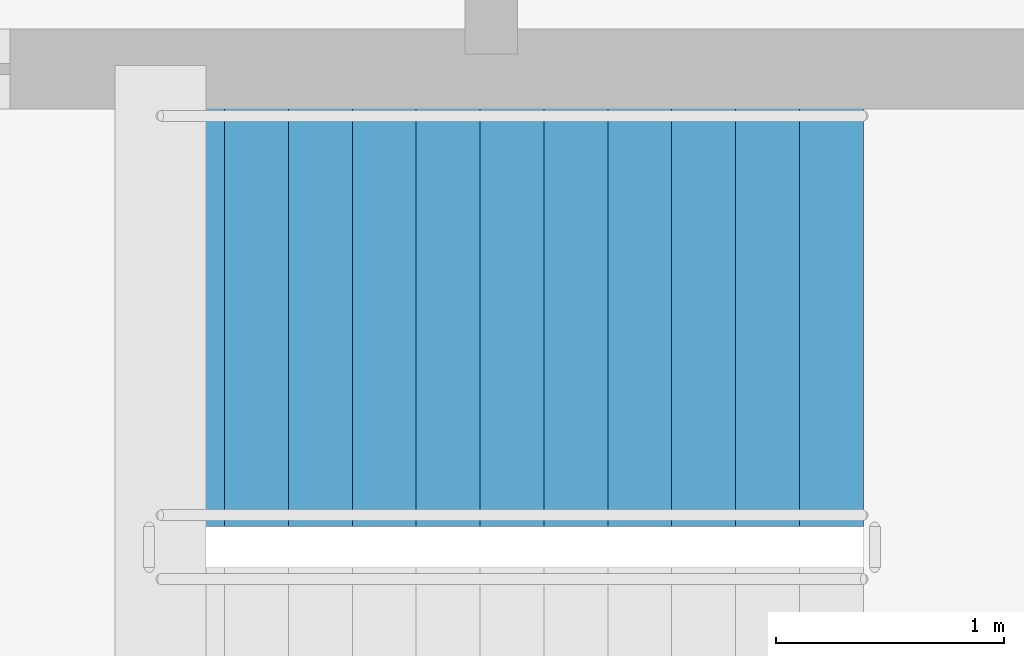
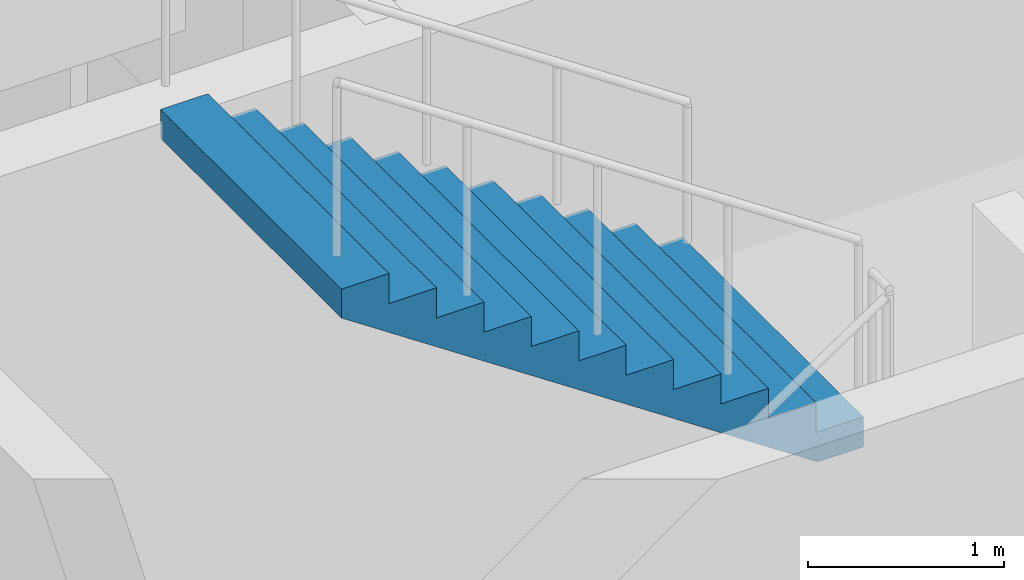
# One storey, part 5 of 7: 1 stair flight, 1 element without a shape of its own.
"""IFC4 building model written with IfcOpenShell, lengths in metres."""

from ifc_helpers import new_model, si_unit, direction, frame, origin, place, context, subcontext, project, spatial, polyline, outline, extrude, material, type_object, element, aggregate, save


model = new_model("IFC4")

# Units and contexts
model_context = context("Model", 3, precision=1e-05, world=origin(), true_north=direction((0.0, 1.0)))
body_context = subcontext(model_context, "Body", "Model", "MODEL_VIEW")
ifc_project = project(units=[si_unit("LENGTHUNIT", "METRE"), si_unit("AREAUNIT", "SQUARE_METRE"), si_unit("VOLUMEUNIT", "CUBIC_METRE"), si_unit("PLANEANGLEUNIT", "RADIAN"), si_unit("MASSUNIT", "GRAM", prefix="KILO")], contexts=[model_context])

# Site, building, storey
site_placement = place(None, origin())
site = spatial("IfcSite", under=ifc_project, at=site_placement, CompositionType="ELEMENT")
building_placement = place(site_placement, origin())
building = spatial("IfcBuilding", under=site, at=building_placement, Name="Quendrovan Civic Courthouse", CompositionType="ELEMENT")
storey_placement = place(building_placement, frame((0.0, 0.0, 40.199951171875)))
storey = spatial("IfcBuildingStorey", under=building, at=storey_placement, Name="L09", CompositionType="ELEMENT", Elevation=40.199951171875)

# Stair, stair flight
ifc_material = material(Name="Concrete C40/50", Category="concrete")
stair_type = type_object("IfcStairType", Name="STR-CORE-4500", PredefinedType="HALF_TURN_STAIR", material=ifc_material)
stair_placement = place(storey_placement, origin())
stair = element("IfcStair", 1, at=stair_placement, inside=storey, type_object=stair_type, Name="L09 Central Judicial and Firefighting Exit Stair 2", PredefinedType="HALF_TURN_STAIR")
stair_flight_type = type_object("IfcStairFlightType", Name="FLT-CORE-4500", PredefinedType="STRAIGHT", material=ifc_material)
stair_flight_placement = place(storey_placement, frame((60.330078125, 98.35498046875, 2.25), z_axis=(0.0, 0.0, 1.0), x_axis=(-1.0, 0.0, 0.0)))
stair_flight = element("IfcStairFlight", 2, at=stair_flight_placement, type_object=stair_flight_type, Name="ST2 flight 2", NumberOfRisers=12, NumberOfTreads=11, PredefinedType="STRAIGHT", RiserHeight=0.1875, TreadLength=0.28, context=body_context, shape_type="SweptSolid", body=[
    extrude(outline(polyline([(0.0, 0.0), (0.0, 0.1875), (0.280029296875, 0.1875), (0.280029296875, 0.375), (0.56005859375, 0.375), (0.56005859375, 0.5625), (0.840087890625, 0.5625), (0.840087890625, 0.75), (1.1201171875, 0.75), (1.1201171875, 0.9375), (1.39990234375, 0.9375), (1.39990234375, 1.125), (1.679931640625, 1.125), (1.679931640625, 1.3125), (1.9599609375, 1.3125), (1.9599609375, 1.5), (2.239990234375, 1.5), (2.239990234375, 1.6875), (2.52001953125, 1.6875), (2.52001953125, 1.875), (2.800048828125, 1.875), (2.800048828125, 2.0625), (3.080078125, 2.0625), (3.080078125, 2.25), (3.080078125, 1.882080078125), (0.26953125, 0.0), (0.0, 0.0)])), frame((0.0, 0.925048828125, 0.0), z_axis=(0.0, -1.0, 0.0), x_axis=(1.0, 0.0, 0.0)), (0.0, 0.0, 1.0), 1.85009765625),
])
aggregate(stair, [stair_flight])

save(model, "model.ifc")
